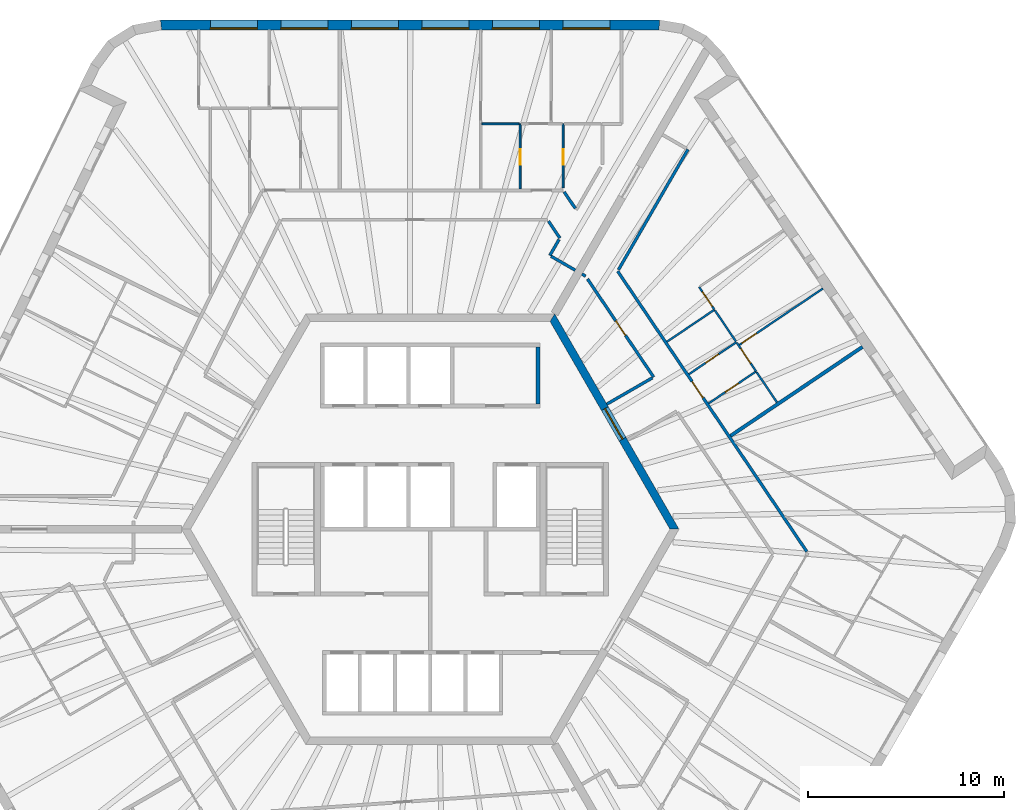
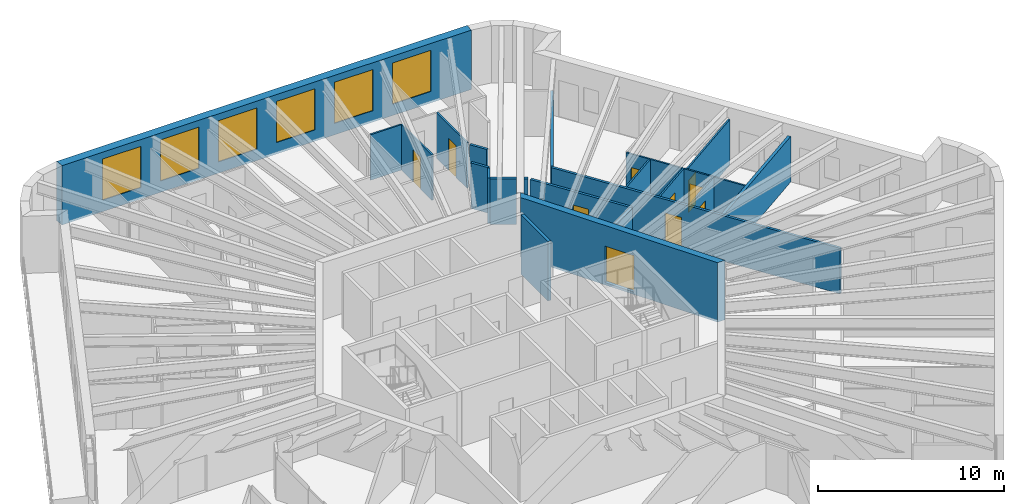
# One storey, part 10 of 12: 24 walls, 10 doors, 6 windows, 16 openings.
"""IFC4 building model written with IfcOpenShell, lengths in metres."""

from ifc_helpers import new_model, si_unit, direction, frame, frame_2d, origin, place, context, subcontext, project, spatial, polyline, rectangle, outline, extrude, material, layer, layer_set, type_object, element, fill, save


model = new_model("IFC4")

# Units and contexts
model_context = context("Model", 3, precision=1e-05, world=origin(), true_north=direction((0.0, 1.0)))
body_context = subcontext(model_context, "Body", "Model", "MODEL_VIEW")
ifc_project = project(units=[si_unit("LENGTHUNIT", "METRE"), si_unit("AREAUNIT", "SQUARE_METRE"), si_unit("VOLUMEUNIT", "CUBIC_METRE"), si_unit("PLANEANGLEUNIT", "RADIAN"), si_unit("MASSUNIT", "GRAM", prefix="KILO")], contexts=[model_context])

# Site, building, storey
site_placement = place(None, origin())
site = spatial("IfcSite", under=ifc_project, at=site_placement, CompositionType="ELEMENT")
building_placement = place(site_placement, origin())
building = spatial("IfcBuilding", under=site, at=building_placement, Name="Tarnside Tower", CompositionType="ELEMENT")
storey_placement = place(building_placement, frame((0.0, 0.0, 287.39990234375)))
storey = spatial("IfcBuildingStorey", under=building, at=storey_placement, Name="L69", CompositionType="ELEMENT", Elevation=287.39990234375)

# Wall, opening, door
ifc_material_1 = material(Name="Gypsum board partition on steel studs", Category="steel")
ifc_layer_1 = layer(ifc_material_1, 0.10009765625)
ifc_layer_set_1 = layer_set([ifc_layer_1], Name="Bathroom wall 100")
wall_type_1 = type_object("IfcWallType", Name="Bathroom wall 100", PredefinedType="PARTITIONING", material=ifc_layer_set_1)
wall_1_placement = place(storey_placement, frame((4.586181640625, 20.699951171875, 0.0), z_axis=(0.0, 0.0, 1.0), x_axis=(0.0, -1.0, 0.0)))
wall_1 = element("IfcWall", 1, at=wall_1_placement, inside=storey, type_object=wall_type_1, Name="Bathroom wall 22088", PredefinedType="PARTITIONING", context=body_context, shape_type="SweptSolid", body=[
    extrude(rectangle(XDim=3.324951171875, YDim=0.10009765625, at=frame_2d((1.66259765625, 0.0))), origin(), (0.0, 0.0, 1.0), 2.98779296875),
])
opening_1_placement = place(wall_1_placement, frame((1.300048828125, 0.0, 0.0)))
opening_1 = element("IfcOpeningElement", 2, at=opening_1_placement, cuts=wall_1, Name="Opening D-B1", PredefinedType="OPENING", context=body_context, shape_type="SweptSolid", body=[
    extrude(rectangle(XDim=0.800048828125, YDim=2.10009765625, at=frame_2d((0.39990234375, 1.050048828125))), frame((0.0, 0.06005859375, 0.0), z_axis=(0.0, -1.0, 0.0), x_axis=(1.0, 0.0, 0.0)), (0.0, 0.0, 1.0), 0.1201171875),
])
ifc_material_2 = material(Name="Timber door leaf", Category="wood")
door_type_1 = type_object("IfcDoorType", Name="Bathroom door 800", OperationType="NOTDEFINED", PredefinedType="DOOR", material=ifc_material_2)
door_1_placement = place(opening_1_placement, origin())
door_1 = element("IfcDoor", 3, at=door_1_placement, inside=storey, type_object=door_type_1, Name="Bathroom door 22002", OperationType="SINGLE_SWING_LEFT", OverallHeight=2.10009765625, OverallWidth=0.800048828125, PredefinedType="DOOR", context=body_context, shape_type="SweptSolid", body=[
    extrude(rectangle(XDim=0.800048828125, YDim=2.10009765625, at=frame_2d((0.39990234375, 1.050048828125))), frame((0.0, 0.02490234375, 0.0), z_axis=(0.0, -1.0, 0.0), x_axis=(1.0, 0.0, 0.0)), (0.0, 0.0, 1.0), 0.050048828125),
])
fill(opening_1, door_1)

wall_2_placement = place(storey_placement, frame((6.7861328125, 17.43408203125, 0.0), z_axis=(0.0, 0.0, 1.0), x_axis=(0.0, 1.0, 0.0)))
wall_2 = element("IfcWall", 4, at=wall_2_placement, inside=storey, type_object=wall_type_1, Name="Bathroom wall 22091", PredefinedType="PARTITIONING", context=body_context, shape_type="SweptSolid", body=[
    extrude(rectangle(XDim=3.265869140625, YDim=0.10009765625, at=frame_2d((1.6328125, 0.0))), origin(), (0.0, 0.0, 1.0), 2.98779296875),
])
opening_2_placement = place(wall_2_placement, frame((1.165771484375, 0.0, 0.0)))
opening_2 = element("IfcOpeningElement", 5, at=opening_2_placement, cuts=wall_2, Name="Opening D-B1", PredefinedType="OPENING", context=body_context, shape_type="SweptSolid", body=[
    extrude(rectangle(XDim=0.800048828125, YDim=2.10009765625, at=frame_2d((0.39990234375, 1.050048828125))), frame((0.0, 0.06005859375, 0.0), z_axis=(0.0, -1.0, 0.0), x_axis=(1.0, 0.0, 0.0)), (0.0, 0.0, 1.0), 0.1201171875),
])
door_2_placement = place(opening_2_placement, origin())
door_2 = element("IfcDoor", 6, at=door_2_placement, inside=storey, type_object=door_type_1, Name="Bathroom door 22011", OperationType="SINGLE_SWING_RIGHT", OverallHeight=2.10009765625, OverallWidth=0.800048828125, PredefinedType="DOOR", context=body_context, shape_type="SweptSolid", body=[
    extrude(rectangle(XDim=0.800048828125, YDim=2.10009765625, at=frame_2d((0.39990234375, 1.050048828125))), frame((0.0, 0.02490234375, 0.0), z_axis=(0.0, -1.0, 0.0), x_axis=(1.0, 0.0, 0.0)), (0.0, 0.0, 1.0), 0.050048828125),
])
fill(opening_2, door_2)

# Walls
wall_3_placement = place(storey_placement, frame((4.5380859375, 20.699951171875, 0.0), z_axis=(0.0, 0.0, 1.0), x_axis=(-1.0, 0.0, 0.0)))
element("IfcWall", 7, at=wall_3_placement, inside=storey, type_object=wall_type_1, Name="Bathroom wall 22092", PredefinedType="PARTITIONING", context=body_context, shape_type="SweptSolid", body=[
    extrude(rectangle(XDim=1.904052734375, YDim=0.10009765625, at=frame_2d((0.9521484375, 0.0))), origin(), (0.0, 0.0, 1.0), 2.98779296875),
])
wall_4_placement = place(storey_placement, frame((12.08935546875, 9.572021484375, 0.0), z_axis=(0.0, 0.0, 1.0), x_axis=(0.829046031219, 0.559180362781, 0.0)))
element("IfcWall", 8, at=wall_4_placement, inside=storey, type_object=wall_type_1, Name="Bathroom wall 22169", PredefinedType="PARTITIONING", context=body_context, shape_type="SweptSolid", body=[
    extrude(rectangle(XDim=2.9248046875, YDim=0.10009765625, at=frame_2d((1.46240234375, 0.0))), origin(), (0.0, 0.0, 1.0), 2.98779296875),
])

# Wall, opening, door
wall_5_placement = place(storey_placement, frame((14.214111328125, 6.421630859375, 0.0), z_axis=(0.0, 0.0, 1.0), x_axis=(0.829072128826, 0.559141668278, 0.0)))
wall_5 = element("IfcWall", 9, at=wall_5_placement, inside=storey, type_object=wall_type_1, Name="Bathroom wall 22170", PredefinedType="PARTITIONING", context=body_context, shape_type="SweptSolid", body=[
    extrude(rectangle(XDim=2.925048828125, YDim=0.10009765625, at=frame_2d((1.46240234375, 0.0))), origin(), (0.0, 0.0, 1.0), 2.98779296875),
])
opening_3_placement = place(wall_5_placement, frame((1.02490234375, 0.0, 0.0)))
opening_3 = element("IfcOpeningElement", 10, at=opening_3_placement, cuts=wall_5, Name="Opening D-B1", PredefinedType="OPENING", context=body_context, shape_type="SweptSolid", body=[
    extrude(rectangle(XDim=0.800048828125, YDim=2.10009765625, at=frame_2d((0.39990234375, 1.050048828125))), frame((0.0, 0.06005859375, 0.0), z_axis=(0.0, -1.0, 0.0), x_axis=(1.0, 0.0, 0.0)), (0.0, 0.0, 1.0), 0.1201171875),
])
door_3_placement = place(opening_3_placement, origin())
door_3 = element("IfcDoor", 11, at=door_3_placement, inside=storey, type_object=door_type_1, Name="Bathroom door 22075", OperationType="SINGLE_SWING_RIGHT", OverallHeight=2.10009765625, OverallWidth=0.800048828125, PredefinedType="DOOR", context=body_context, shape_type="SweptSolid", body=[
    extrude(rectangle(XDim=0.800048828125, YDim=2.10009765625, at=frame_2d((0.39990234375, 1.050048828125))), frame((0.0, 0.02490234375, 0.0), z_axis=(0.0, -1.0, 0.0), x_axis=(1.0, 0.0, 0.0)), (0.0, 0.0, 1.0), 0.050048828125),
])
fill(opening_3, door_3)

wall_6_placement = place(storey_placement, frame((15.632568359375, 9.549560546875, 0.0), z_axis=(0.0, 0.0, 1.0), x_axis=(-0.829033436212, -0.559199035802, 0.0)))
wall_6 = element("IfcWall", 12, at=wall_6_placement, inside=storey, type_object=wall_type_1, Name="Bathroom wall 22173", PredefinedType="PARTITIONING", context=body_context, shape_type="SweptSolid", body=[
    extrude(rectangle(XDim=2.925048828125, YDim=0.10009765625, at=frame_2d((1.46240234375, 0.0))), origin(), (0.0, 0.0, 1.0), 2.98779296875),
])
opening_4_placement = place(wall_6_placement, frame((1.10009765625, 0.0, 0.0)))
opening_4 = element("IfcOpeningElement", 13, at=opening_4_placement, cuts=wall_6, Name="Opening D-B1", PredefinedType="OPENING", context=body_context, shape_type="SweptSolid", body=[
    extrude(rectangle(XDim=0.800048828125, YDim=2.10009765625, at=frame_2d((0.39990234375, 1.050048828125))), frame((0.0, 0.06005859375, 0.0), z_axis=(0.0, -1.0, 0.0), x_axis=(1.0, 0.0, 0.0)), (0.0, 0.0, 1.0), 0.1201171875),
])
door_4_placement = place(opening_4_placement, origin())
door_4 = element("IfcDoor", 14, at=door_4_placement, inside=storey, type_object=door_type_1, Name="Bathroom door 22082", OperationType="SINGLE_SWING_LEFT", OverallHeight=2.10009765625, OverallWidth=0.800048828125, PredefinedType="DOOR", context=body_context, shape_type="SweptSolid", body=[
    extrude(rectangle(XDim=0.800048828125, YDim=2.10009765625, at=frame_2d((0.39990234375, 1.050048828125))), frame((0.0, 0.02490234375, 0.0), z_axis=(0.0, -1.0, 0.0), x_axis=(1.0, 0.0, 0.0)), (0.0, 0.0, 1.0), 0.050048828125),
])
fill(opening_4, door_4)

# Walls
wall_7_placement = place(storey_placement, frame((17.707275390625, 6.473876953125, 0.0), z_axis=(0.0, 0.0, 1.0), x_axis=(-0.559261140113, 0.828991542273, 0.0)))
element("IfcWall", 15, at=wall_7_placement, inside=storey, type_object=wall_type_1, Name="Bathroom wall 22174", PredefinedType="PARTITIONING", context=body_context, shape_type="SweptSolid", body=[
    extrude(rectangle(XDim=1.86181640625, YDim=0.10009765625, at=frame_2d((0.930908203125, 0.0))), origin(), (0.0, 0.0, 1.0), 2.98779296875),
])
wall_8_placement = place(storey_placement, frame((14.542236328125, 11.166015625, 0.0), z_axis=(0.0, 0.0, 1.0), x_axis=(0.559170428633, -0.829052731581, 0.0)))
element("IfcWall", 16, at=wall_8_placement, inside=storey, type_object=wall_type_1, Name="Bathroom wall 22176", PredefinedType="PARTITIONING", context=body_context, shape_type="SweptSolid", body=[
    extrude(rectangle(XDim=1.899658203125, YDim=0.10009765625, at=frame_2d((0.94970703125, 0.0))), origin(), (0.0, 0.0, 1.0), 2.98779296875),
])

# Wall, opening, door
ifc_material_3 = material(Name="Concrete C60/75", Category="concrete")
ifc_layer_2 = layer(ifc_material_3, 0.39990234375)
ifc_layer_set_2 = layer_set([ifc_layer_2], Name="Core wall Z3 400 C60/75")
wall_type_2 = type_object("IfcWallType", Name="Core wall Z3 400 C60/75", PredefinedType="SHEAR", material=ifc_layer_set_2)
wall_9_placement = place(storey_placement, frame((12.470703125, 0.0, -0.14990234375), z_axis=(0.0, 0.0, 1.0), x_axis=(-0.499996419489, 0.866027470984, 0.0)))
wall_9 = element("IfcWall", 17, at=wall_9_placement, inside=storey, type_object=wall_type_2, Name="L69 core wall face 6", PredefinedType="SHEAR", context=body_context, shape_type="SweptSolid", body=[
    extrude(outline(polyline([(-0.115478515625, -0.199951171875), (12.586181640625, -0.199951171875), (12.355224609375, 0.199951171875), (0.115478515625, 0.199951171875), (-0.115478515625, -0.199951171875)])), origin(), (0.0, 0.0, 1.0), 3.89990234375),
])
opening_5_placement = place(wall_9_placement, frame((5.306396484375, 0.0, 0.14990234375)))
opening_5 = element("IfcOpeningElement", 18, at=opening_5_placement, cuts=wall_9, Name="Opening CD-LOB", PredefinedType="OPENING", context=body_context, shape_type="SweptSolid", body=[
    extrude(rectangle(XDim=1.800048828125, YDim=2.39990234375, at=frame_2d((0.89990234375, 1.199951171875))), frame((0.0, 0.2099609375, 0.0), z_axis=(0.0, -1.0, 0.0), x_axis=(1.0, 0.0, 0.0)), (0.0, 0.0, 1.0), 0.419921875),
])
ifc_material_4 = material(Name="Steel fire door", Category="steel")
door_type_2 = type_object("IfcDoorType", Name="Lobby double door FD30S 1800x2400", OperationType="NOTDEFINED", PredefinedType="DOOR", material=ifc_material_4)
door_5_placement = place(opening_5_placement, origin())
door_5 = element("IfcDoor", 19, at=door_5_placement, inside=storey, type_object=door_type_2, Name="L69 core door P2", OperationType="DOUBLE_DOOR_SINGLE_SWING", OverallHeight=2.39990234375, OverallWidth=1.800048828125, PredefinedType="DOOR", context=body_context, shape_type="SweptSolid", body=[
    extrude(rectangle(XDim=1.800048828125, YDim=2.39990234375, at=frame_2d((0.89990234375, 1.199951171875))), frame((0.0, 0.02490234375, 0.0), z_axis=(0.0, -1.0, 0.0), x_axis=(1.0, 0.0, 0.0)), (0.0, 0.0, 1.0), 0.050048828125),
])
fill(opening_5, door_5)

# Walls
ifc_layer_3 = layer(ifc_material_1, 0.14990234375)
ifc_layer_set_3 = layer_set([ifc_layer_3], Name="Corridor wall 150 EI 60")
wall_type_3 = type_object("IfcWallType", Name="Corridor wall 150 EI 60", PredefinedType="PARTITIONING", material=ifc_layer_set_3)
wall_10_placement = place(storey_placement, frame((7.406982421875, 16.37939453125, 0.0), z_axis=(0.0, 0.0, 1.0), x_axis=(-0.559111060147, 0.829092770697, 0.0)))
element("IfcWall", 20, at=wall_10_placement, inside=storey, type_object=wall_type_3, Name="Corridor wall 22008", PredefinedType="PARTITIONING", context=body_context, shape_type="SweptSolid", body=[
    extrude(rectangle(XDim=1.02001953125, YDim=0.14990234375, at=frame_2d((0.510009765625, 0.0))), origin(), (0.0, 0.0, 1.0), 2.98779296875),
])
wall_11_placement = place(storey_placement, frame((6.0390625, 15.72509765625, 0.0), z_axis=(0.0, 0.0, 1.0), x_axis=(0.559307154107, -0.828960498073, 0.0)))
element("IfcWall", 21, at=wall_11_placement, inside=storey, type_object=wall_type_3, Name="Corridor wall 22023", PredefinedType="PARTITIONING", context=body_context, shape_type="SweptSolid", body=[
    extrude(rectangle(XDim=1.03759765625, YDim=0.14990234375, at=frame_2d((0.518798828125, 0.0))), origin(), (0.0, 0.0, 1.0), 2.98779296875),
])
wall_12_placement = place(storey_placement, frame((6.57763671875, 14.792724609375, 0.0), z_axis=(0.0, 0.0, 1.0), x_axis=(-0.499998034377, -0.866026538634, 0.0)))
element("IfcWall", 22, at=wall_12_placement, inside=storey, type_object=wall_type_3, Name="Corridor wall 22024", PredefinedType="PARTITIONING", context=body_context, shape_type="SweptSolid", body=[
    extrude(rectangle(XDim=0.94580078125, YDim=0.14990234375, at=frame_2d((0.472900390625, 0.0))), origin(), (0.0, 0.0, 1.0), 2.98779296875),
])
wall_13_placement = place(storey_placement, frame((6.169677734375, 13.936279296875, 0.0), z_axis=(0.0, 0.0, 1.0), x_axis=(0.865988727248, -0.500063520245, 0.0)))
element("IfcWall", 23, at=wall_13_placement, inside=storey, type_object=wall_type_3, Name="Corridor wall 22025", PredefinedType="PARTITIONING", context=body_context, shape_type="SweptSolid", body=[
    extrude(rectangle(XDim=1.425048828125, YDim=0.14990234375, at=frame_2d((0.71240234375, 0.0))), origin(), (0.0, 0.0, 1.0), 2.98779296875),
])

# Wall, opening, door
wall_14_placement = place(storey_placement, frame((19.22802734375, -1.14599609375, 0.0), z_axis=(0.0, 0.0, 1.0), x_axis=(-0.559173750718, 0.829050490928, 0.0)))
wall_14 = element("IfcWall", 24, at=wall_14_placement, inside=storey, type_object=wall_type_3, Name="Corridor wall 22061", PredefinedType="PARTITIONING", context=body_context, shape_type="SweptSolid", body=[
    extrude(rectangle(XDim=17.273193359375, YDim=0.14990234375, at=frame_2d((8.63671875, 0.0))), origin(), (0.0, 0.0, 1.0), 2.98779296875),
])
opening_6_placement = place(wall_14_placement, frame((9.4775390625, 0.0, 0.0)))
opening_6 = element("IfcOpeningElement", 25, at=opening_6_placement, cuts=wall_14, Name="Opening D-E1", PredefinedType="OPENING", context=body_context, shape_type="SweptSolid", body=[
    extrude(rectangle(XDim=1.0, YDim=2.10009765625, at=frame_2d((0.5, 1.050048828125))), frame((0.0, 0.0849609375, 0.0), z_axis=(0.0, -1.0, 0.0), x_axis=(1.0, 0.0, 0.0)), (0.0, 0.0, 1.0), 0.169921875),
])
door_type_3 = type_object("IfcDoorType", Name="Unit entrance door 1000 FD30S", OperationType="NOTDEFINED", PredefinedType="DOOR", material=ifc_material_2)
door_6_placement = place(opening_6_placement, origin())
door_6 = element("IfcDoor", 26, at=door_6_placement, inside=storey, type_object=door_type_3, Name="Unit door 22074", OperationType="SINGLE_SWING_LEFT", OverallHeight=2.10009765625, OverallWidth=1.0, PredefinedType="DOOR", context=body_context, shape_type="SweptSolid", body=[
    extrude(rectangle(XDim=1.0, YDim=2.10009765625, at=frame_2d((0.5, 1.050048828125))), frame((0.0, 0.02490234375, 0.0), z_axis=(0.0, -1.0, 0.0), x_axis=(1.0, 0.0, 0.0)), (0.0, 0.0, 1.0), 0.050048828125),
])
fill(opening_6, door_6)

# Walls
wall_15_placement = place(storey_placement, frame((9.61083984375, 13.246337890625, 0.0), z_axis=(0.0, 0.0, 1.0), x_axis=(0.499994435258, 0.866028616566, 0.0)))
element("IfcWall", 27, at=wall_15_placement, inside=storey, type_object=wall_type_3, Name="Corridor wall 22067", PredefinedType="PARTITIONING", context=body_context, shape_type="SweptSolid", body=[
    extrude(rectangle(XDim=7.0966796875, YDim=0.14990234375, at=frame_2d((3.54833984375, 0.0))), origin(), (0.0, 0.0, 1.0), 2.98779296875),
])
wall_16_placement = place(storey_placement, frame((7.750244140625, 13.023681640625, 0.0), z_axis=(0.0, 0.0, 1.0), x_axis=(0.866088799389, -0.499890179513, 0.0)))
element("IfcWall", 28, at=wall_16_placement, inside=storey, type_object=wall_type_3, Name="Corridor wall 22081", PredefinedType="PARTITIONING", context=body_context, shape_type="SweptSolid", body=[
    extrude(rectangle(XDim=0.2099609375, YDim=0.14990234375, at=frame_2d((0.10498046875, 0.0))), origin(), (0.0, 0.0, 1.0), 2.98779296875),
])

# Wall, opening, door
wall_17_placement = place(storey_placement, frame((8.02783203125, 12.77685546875, 0.0), z_axis=(0.0, 0.0, 1.0), x_axis=(0.559175239609, -0.829049486707, 0.0)))
wall_17 = element("IfcWall", 29, at=wall_17_placement, inside=storey, type_object=wall_type_3, Name="Corridor wall 22082", PredefinedType="PARTITIONING", context=body_context, shape_type="SweptSolid", body=[
    extrude(rectangle(XDim=6.044921875, YDim=0.14990234375, at=frame_2d((3.0224609375, 0.0))), origin(), (0.0, 0.0, 1.0), 2.98779296875),
])
opening_7_placement = place(wall_17_placement, frame((2.572265625, 0.0, 0.0)))
opening_7 = element("IfcOpeningElement", 30, at=opening_7_placement, cuts=wall_17, Name="Opening D-S1", PredefinedType="OPENING", context=body_context, shape_type="SweptSolid", body=[
    extrude(rectangle(XDim=0.89990234375, YDim=2.10009765625, at=frame_2d((0.449951171875, 1.050048828125))), frame((0.0, 0.0849609375, 0.0), z_axis=(0.0, -1.0, 0.0), x_axis=(1.0, 0.0, 0.0)), (0.0, 0.0, 1.0), 0.169921875),
])
door_type_4 = type_object("IfcDoorType", Name="Service room door 900 FD30S", OperationType="NOTDEFINED", PredefinedType="DOOR", material=ifc_material_2)
door_7_placement = place(opening_7_placement, origin())
door_7 = element("IfcDoor", 31, at=door_7_placement, inside=storey, type_object=door_type_4, Name="Service door 22092", OperationType="SINGLE_SWING_RIGHT", OverallHeight=2.10009765625, OverallWidth=0.89990234375, PredefinedType="DOOR", context=body_context, shape_type="SweptSolid", body=[
    extrude(rectangle(XDim=0.89990234375, YDim=2.10009765625, at=frame_2d((0.449951171875, 1.050048828125))), frame((0.0, 0.02490234375, 0.0), z_axis=(0.0, -1.0, 0.0), x_axis=(1.0, 0.0, 0.0)), (0.0, 0.0, 1.0), 0.050048828125),
])
fill(opening_7, door_7)

# Walls
wall_18_placement = place(storey_placement, frame((11.3427734375, 7.727783203125, 0.0), z_axis=(0.0, 0.0, 1.0), x_axis=(-0.866037314867, -0.499979368833, 0.0)))
element("IfcWall", 32, at=wall_18_placement, inside=storey, type_object=wall_type_3, Name="Corridor wall 22083", PredefinedType="PARTITIONING", context=body_context, shape_type="SweptSolid", body=[
    extrude(rectangle(XDim=2.68701171875, YDim=0.14990234375, at=frame_2d((1.343505859375, 0.0))), origin(), (0.0, 0.0, 1.0), 2.98779296875),
])
ifc_layer_4 = layer(ifc_material_1, 0.179931640625)
ifc_layer_set_4 = layer_set([ifc_layer_4], Name="Demising wall 180 EI 60")
wall_type_4 = type_object("IfcWallType", Name="Demising wall 180 EI 60", PredefinedType="PARTITIONING", material=ifc_layer_set_4)
wall_19_placement = place(storey_placement, frame((22.068603515625, 9.306884765625, 0.0), z_axis=(0.0, 0.0, 1.0), x_axis=(-0.829042649773, -0.559185376111, 0.0)))
element("IfcWall", 33, at=wall_19_placement, inside=storey, type_object=wall_type_4, Name="Demising wall 22158", PredefinedType="PARTITIONING", context=body_context, shape_type="SweptSolid", body=[
    extrude(rectangle(XDim=8.125244140625, YDim=0.179931640625, at=frame_2d((4.0625, 0.0))), origin(), (0.0, 0.0, 1.0), 2.98779296875),
])
ifc_material_5 = material(Name="Concrete C40/50", Category="concrete")
ifc_layer_5 = layer(ifc_material_5, 0.199951171875)
ifc_layer_set_5 = layer_set([ifc_layer_5], Name="Lift shaft wall 200 C40/50")
wall_type_5 = type_object("IfcWallType", Name="Lift shaft wall 200 C40/50", PredefinedType="SHEAR", material=ifc_layer_set_5)
wall_20_placement = place(storey_placement, frame((5.5, 6.39990234375, -0.25), z_axis=(0.0, 0.0, 1.0), x_axis=(0.0, 1.0, 0.0)))
element("IfcWall", 34, at=wall_20_placement, inside=storey, type_object=wall_type_5, Name="L69 lift shaft partition R16", PredefinedType="SHEAR", context=body_context, shape_type="SweptSolid", body=[
    extrude(rectangle(XDim=2.900146484375, YDim=0.199951171875, at=frame_2d((1.4501953125, 0.0))), origin(), (0.0, 0.0, 1.0), 3.900146484375),
])

# Wall, opening, door
ifc_layer_6 = layer(ifc_material_1, 0.10009765625)
ifc_layer_set_6 = layer_set([ifc_layer_6], Name="Partition 100")
wall_type_6 = type_object("IfcWallType", Name="Partition 100", PredefinedType="PARTITIONING", material=ifc_layer_set_6)
wall_21_placement = place(storey_placement, frame((14.515380859375, 11.205810546875, 0.0), z_axis=(0.0, 0.0, 1.0), x_axis=(-0.559272477643, 0.828983893542, 0.0)))
wall_21 = element("IfcWall", 35, at=wall_21_placement, inside=storey, type_object=wall_type_6, Name="Partition wall 22167", PredefinedType="PARTITIONING", context=body_context, shape_type="SweptSolid", body=[
    extrude(rectangle(XDim=1.402099609375, YDim=0.10009765625, at=frame_2d((0.701171875, 0.0))), origin(), (0.0, 0.0, 1.0), 2.98779296875),
])
opening_8_placement = place(wall_21_placement, frame((0.199951171875, 0.0, 0.0)))
opening_8 = element("IfcOpeningElement", 36, at=opening_8_placement, cuts=wall_21, Name="Opening D-I1", PredefinedType="OPENING", context=body_context, shape_type="SweptSolid", body=[
    extrude(rectangle(XDim=0.89990234375, YDim=2.10009765625, at=frame_2d((0.449951171875, 1.050048828125))), frame((0.0, 0.06005859375, 0.0), z_axis=(0.0, -1.0, 0.0), x_axis=(1.0, 0.0, 0.0)), (0.0, 0.0, 1.0), 0.1201171875),
])
door_type_5 = type_object("IfcDoorType", Name="Internal door 900", OperationType="NOTDEFINED", PredefinedType="DOOR", material=ifc_material_2)
door_8_placement = place(opening_8_placement, origin())
door_8 = element("IfcDoor", 37, at=door_8_placement, inside=storey, type_object=door_type_5, Name="Internal door 22081", OperationType="SINGLE_SWING_RIGHT", OverallHeight=2.10009765625, OverallWidth=0.89990234375, PredefinedType="DOOR", context=body_context, shape_type="SweptSolid", body=[
    extrude(rectangle(XDim=0.89990234375, YDim=2.10009765625, at=frame_2d((0.449951171875, 1.050048828125))), frame((0.0, 0.02490234375, 0.0), z_axis=(0.0, -1.0, 0.0), x_axis=(1.0, 0.0, 0.0)), (0.0, 0.0, 1.0), 0.050048828125),
])
fill(opening_8, door_8)

wall_22_placement = place(storey_placement, frame((16.64013671875, 8.0556640625, 0.0), z_axis=(0.0, 0.0, 1.0), x_axis=(-0.559157243835, 0.829061624167, 0.0)))
wall_22 = element("IfcWall", 38, at=wall_22_placement, inside=storey, type_object=wall_type_6, Name="Partition wall 22171", PredefinedType="PARTITIONING", context=body_context, shape_type="SweptSolid", body=[
    extrude(rectangle(XDim=1.75390625, YDim=0.10009765625, at=frame_2d((0.876953125, 0.0))), origin(), (0.0, 0.0, 1.0), 2.98779296875),
])
opening_9_placement = place(wall_22_placement, frame((0.501953125, 0.0, 0.0)))
opening_9 = element("IfcOpeningElement", 39, at=opening_9_placement, cuts=wall_22, Name="Opening D-I1", PredefinedType="OPENING", context=body_context, shape_type="SweptSolid", body=[
    extrude(rectangle(XDim=0.89990234375, YDim=2.10009765625, at=frame_2d((0.449951171875, 1.050048828125))), frame((0.0, 0.06005859375, 0.0), z_axis=(0.0, -1.0, 0.0), x_axis=(1.0, 0.0, 0.0)), (0.0, 0.0, 1.0), 0.1201171875),
])
door_9_placement = place(opening_9_placement, origin())
door_9 = element("IfcDoor", 40, at=door_9_placement, inside=storey, type_object=door_type_5, Name="Internal door 22077", OperationType="SINGLE_SWING_RIGHT", OverallHeight=2.10009765625, OverallWidth=0.89990234375, PredefinedType="DOOR", context=body_context, shape_type="SweptSolid", body=[
    extrude(rectangle(XDim=0.89990234375, YDim=2.10009765625, at=frame_2d((0.449951171875, 1.050048828125))), frame((0.0, 0.02490234375, 0.0), z_axis=(0.0, -1.0, 0.0), x_axis=(1.0, 0.0, 0.0)), (0.0, 0.0, 1.0), 0.050048828125),
])
fill(opening_9, door_9)

wall_23_placement = place(storey_placement, frame((20.055419921875, 12.29150390625, 0.0), z_axis=(0.0, 0.0, 1.0), x_axis=(-0.82903328576, -0.559199258853, 0.0)))
wall_23 = element("IfcWall", 41, at=wall_23_placement, inside=storey, type_object=wall_type_6, Name="Partition wall 22175", PredefinedType="PARTITIONING", context=body_context, shape_type="SweptSolid", body=[
    extrude(rectangle(XDim=5.14990234375, YDim=0.10009765625, at=frame_2d((2.574951171875, 0.0))), origin(), (0.0, 0.0, 1.0), 2.98779296875),
])
opening_10_placement = place(wall_23_placement, frame((4.10009765625, 0.0, 0.0)))
opening_10 = element("IfcOpeningElement", 42, at=opening_10_placement, cuts=wall_23, Name="Opening D-I1", PredefinedType="OPENING", context=body_context, shape_type="SweptSolid", body=[
    extrude(rectangle(XDim=0.89990234375, YDim=2.10009765625, at=frame_2d((0.449951171875, 1.050048828125))), frame((0.0, 0.06005859375, 0.0), z_axis=(0.0, -1.0, 0.0), x_axis=(1.0, 0.0, 0.0)), (0.0, 0.0, 1.0), 0.1201171875),
])
door_10_placement = place(opening_10_placement, origin())
door_10 = element("IfcDoor", 43, at=door_10_placement, inside=storey, type_object=door_type_5, Name="Internal door 22080", OperationType="SINGLE_SWING_RIGHT", OverallHeight=2.10009765625, OverallWidth=0.89990234375, PredefinedType="DOOR", context=body_context, shape_type="SweptSolid", body=[
    extrude(rectangle(XDim=0.89990234375, YDim=2.10009765625, at=frame_2d((0.449951171875, 1.050048828125))), frame((0.0, 0.02490234375, 0.0), z_axis=(0.0, -1.0, 0.0), x_axis=(1.0, 0.0, 0.0)), (0.0, 0.0, 1.0), 0.050048828125),
])
fill(opening_10, door_10)

# Wall, openings, windows
ifc_material_6 = material(Name="Facing brick", Category="masonry")
ifc_layer_7 = layer(ifc_material_6, 0.10205078125)
ifc_material_7 = material(Name="Concrete C60/75 precast", Category="concrete")
ifc_layer_8 = layer(ifc_material_7, 0.298095703125)
ifc_material_8 = material(Name="Mineral wool insulation")
ifc_layer_9 = layer(ifc_material_8, 0.10009765625)
ifc_layer_set_7 = layer_set([ifc_layer_7, ifc_layer_8, ifc_layer_9], Name="Tube wall 500 brick faced")
wall_type_7 = type_object("IfcWallType", Name="Tube wall 500 brick faced", PredefinedType="SOLIDWALL", material=ifc_layer_set_7)
wall_24_placement = place(storey_placement, frame((11.697509765625, 25.75, -0.14990234375), z_axis=(0.0, 0.0, 1.0), x_axis=(-1.0, 0.0, 0.0)))
wall_24 = element("IfcWall", 44, at=wall_24_placement, inside=storey, type_object=wall_type_7, Name="Tube wall L69 F1 flush 00", PredefinedType="SOLIDWALL", context=body_context, shape_type="SweptSolid", body=[
    extrude(outline(polyline([(-0.0205078125, -0.25), (25.468017578125, -0.25), (25.421142578125, 0.25), (0.0205078125, 0.25), (-0.0205078125, -0.25)])), origin(), (0.0, 0.0, 1.0), 3.89990234375),
])
opening_11_placement = place(wall_24_placement, frame((2.5224609375, 0.0, 0.75)))
opening_11 = element("IfcOpeningElement", 45, at=opening_11_placement, cuts=wall_24, Name="Opening WR", PredefinedType="OPENING", context=body_context, shape_type="SweptSolid", body=[
    extrude(rectangle(XDim=2.39990234375, YDim=2.699951171875, at=frame_2d((1.199951171875, 1.35009765625))), frame((0.0, 0.260009765625, 0.0), z_axis=(0.0, -1.0, 0.0), x_axis=(1.0, 0.0, 0.0)), (0.0, 0.0, 1.0), 0.52001953125),
])
opening_12_placement = place(wall_24_placement, frame((6.122314453125, 0.0, 0.75)))
opening_12 = element("IfcOpeningElement", 46, at=opening_12_placement, cuts=wall_24, Name="Opening WR", PredefinedType="OPENING", context=body_context, shape_type="SweptSolid", body=[
    extrude(rectangle(XDim=2.39990234375, YDim=2.699951171875, at=frame_2d((1.199951171875, 1.35009765625))), frame((0.0, 0.260009765625, 0.0), z_axis=(0.0, -1.0, 0.0), x_axis=(1.0, 0.0, 0.0)), (0.0, 0.0, 1.0), 0.52001953125),
])
opening_13_placement = place(wall_24_placement, frame((9.722412109375, 0.0, 0.75)))
opening_13 = element("IfcOpeningElement", 47, at=opening_13_placement, cuts=wall_24, Name="Opening WR", PredefinedType="OPENING", context=body_context, shape_type="SweptSolid", body=[
    extrude(rectangle(XDim=2.39990234375, YDim=2.699951171875, at=frame_2d((1.199951171875, 1.35009765625))), frame((0.0, 0.260009765625, 0.0), z_axis=(0.0, -1.0, 0.0), x_axis=(1.0, 0.0, 0.0)), (0.0, 0.0, 1.0), 0.52001953125),
])
opening_14_placement = place(wall_24_placement, frame((13.322509765625, 0.0, 0.75)))
opening_14 = element("IfcOpeningElement", 48, at=opening_14_placement, cuts=wall_24, Name="Opening WR", PredefinedType="OPENING", context=body_context, shape_type="SweptSolid", body=[
    extrude(rectangle(XDim=2.39990234375, YDim=2.699951171875, at=frame_2d((1.199951171875, 1.35009765625))), frame((0.0, 0.260009765625, 0.0), z_axis=(0.0, -1.0, 0.0), x_axis=(1.0, 0.0, 0.0)), (0.0, 0.0, 1.0), 0.52001953125),
])
opening_15_placement = place(wall_24_placement, frame((16.92236328125, 0.0, 0.75)))
opening_15 = element("IfcOpeningElement", 49, at=opening_15_placement, cuts=wall_24, Name="Opening WR", PredefinedType="OPENING", context=body_context, shape_type="SweptSolid", body=[
    extrude(rectangle(XDim=2.39990234375, YDim=2.699951171875, at=frame_2d((1.199951171875, 1.35009765625))), frame((0.0, 0.260009765625, 0.0), z_axis=(0.0, -1.0, 0.0), x_axis=(1.0, 0.0, 0.0)), (0.0, 0.0, 1.0), 0.52001953125),
])
opening_16_placement = place(wall_24_placement, frame((20.5224609375, 0.0, 0.75)))
opening_16 = element("IfcOpeningElement", 50, at=opening_16_placement, cuts=wall_24, Name="Opening WR", PredefinedType="OPENING", context=body_context, shape_type="SweptSolid", body=[
    extrude(rectangle(XDim=2.39990234375, YDim=2.699951171875, at=frame_2d((1.199951171875, 1.35009765625))), frame((0.0, 0.260009765625, 0.0), z_axis=(0.0, -1.0, 0.0), x_axis=(1.0, 0.0, 0.0)), (0.0, 0.0, 1.0), 0.52001953125),
])
ifc_material_9 = material(Name="Aluminium-framed double glazing", Category="aluminium")
window_type = type_object("IfcWindowType", Name="Residence window 2400 x 2700", PartitioningType="DOUBLE_PANEL_VERTICAL", PredefinedType="WINDOW", material=ifc_material_9)
window_1_placement = place(opening_11_placement, frame((0.0, 0.179931640625, 0.0)))
window_1 = element("IfcWindow", 51, at=window_1_placement, inside=storey, type_object=window_type, Name="E.WN.L69.F1.00", OverallHeight=2.699951171875, OverallWidth=2.39990234375, PartitioningType="DOUBLE_PANEL_VERTICAL", PredefinedType="WINDOW", context=body_context, shape_type="SweptSolid", body=[
    extrude(rectangle(XDim=2.39990234375, YDim=2.699951171875, at=frame_2d((1.199951171875, 1.35009765625))), frame((0.0, 0.030029296875, 0.0), z_axis=(0.0, -1.0, 0.0), x_axis=(1.0, 0.0, 0.0)), (0.0, 0.0, 1.0), 0.06005859375),
])
fill(opening_11, window_1)
window_2_placement = place(opening_12_placement, frame((0.0, 0.179931640625, 0.0)))
window_2 = element("IfcWindow", 52, at=window_2_placement, inside=storey, type_object=window_type, Name="E.WN.L69.F1.01", OverallHeight=2.699951171875, OverallWidth=2.39990234375, PartitioningType="DOUBLE_PANEL_VERTICAL", PredefinedType="WINDOW", context=body_context, shape_type="SweptSolid", body=[
    extrude(rectangle(XDim=2.39990234375, YDim=2.699951171875, at=frame_2d((1.199951171875, 1.35009765625))), frame((0.0, 0.030029296875, 0.0), z_axis=(0.0, -1.0, 0.0), x_axis=(1.0, 0.0, 0.0)), (0.0, 0.0, 1.0), 0.06005859375),
])
fill(opening_12, window_2)
window_3_placement = place(opening_13_placement, frame((0.0, 0.179931640625, 0.0)))
window_3 = element("IfcWindow", 53, at=window_3_placement, inside=storey, type_object=window_type, Name="E.WN.L69.F1.02", OverallHeight=2.699951171875, OverallWidth=2.39990234375, PartitioningType="DOUBLE_PANEL_VERTICAL", PredefinedType="WINDOW", context=body_context, shape_type="SweptSolid", body=[
    extrude(rectangle(XDim=2.39990234375, YDim=2.699951171875, at=frame_2d((1.199951171875, 1.35009765625))), frame((0.0, 0.030029296875, 0.0), z_axis=(0.0, -1.0, 0.0), x_axis=(1.0, 0.0, 0.0)), (0.0, 0.0, 1.0), 0.06005859375),
])
fill(opening_13, window_3)
window_4_placement = place(opening_14_placement, frame((0.0, 0.179931640625, 0.0)))
window_4 = element("IfcWindow", 54, at=window_4_placement, inside=storey, type_object=window_type, Name="E.WN.L69.F1.03", OverallHeight=2.699951171875, OverallWidth=2.39990234375, PartitioningType="DOUBLE_PANEL_VERTICAL", PredefinedType="WINDOW", context=body_context, shape_type="SweptSolid", body=[
    extrude(rectangle(XDim=2.39990234375, YDim=2.699951171875, at=frame_2d((1.199951171875, 1.35009765625))), frame((0.0, 0.030029296875, 0.0), z_axis=(0.0, -1.0, 0.0), x_axis=(1.0, 0.0, 0.0)), (0.0, 0.0, 1.0), 0.06005859375),
])
fill(opening_14, window_4)
window_5_placement = place(opening_15_placement, frame((0.0, 0.179931640625, 0.0)))
window_5 = element("IfcWindow", 55, at=window_5_placement, inside=storey, type_object=window_type, Name="E.WN.L69.F1.04", OverallHeight=2.699951171875, OverallWidth=2.39990234375, PartitioningType="DOUBLE_PANEL_VERTICAL", PredefinedType="WINDOW", context=body_context, shape_type="SweptSolid", body=[
    extrude(rectangle(XDim=2.39990234375, YDim=2.699951171875, at=frame_2d((1.199951171875, 1.35009765625))), frame((0.0, 0.030029296875, 0.0), z_axis=(0.0, -1.0, 0.0), x_axis=(1.0, 0.0, 0.0)), (0.0, 0.0, 1.0), 0.06005859375),
])
fill(opening_15, window_5)
window_6_placement = place(opening_16_placement, frame((0.0, 0.179931640625, 0.0)))
window_6 = element("IfcWindow", 56, at=window_6_placement, inside=storey, type_object=window_type, Name="E.WN.L69.F1.05", OverallHeight=2.699951171875, OverallWidth=2.39990234375, PartitioningType="DOUBLE_PANEL_VERTICAL", PredefinedType="WINDOW", context=body_context, shape_type="SweptSolid", body=[
    extrude(rectangle(XDim=2.39990234375, YDim=2.699951171875, at=frame_2d((1.199951171875, 1.35009765625))), frame((0.0, 0.030029296875, 0.0), z_axis=(0.0, -1.0, 0.0), x_axis=(1.0, 0.0, 0.0)), (0.0, 0.0, 1.0), 0.06005859375),
])
fill(opening_16, window_6)

save(model, "model.ifc")
